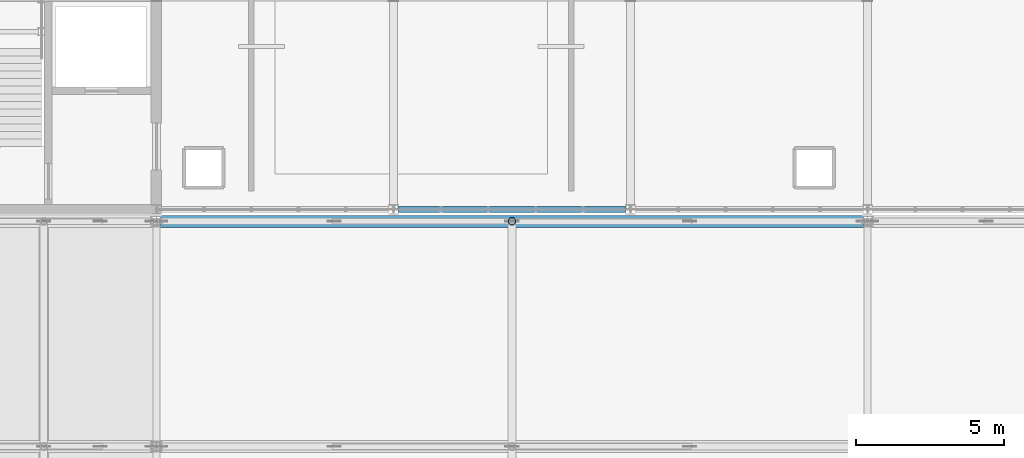
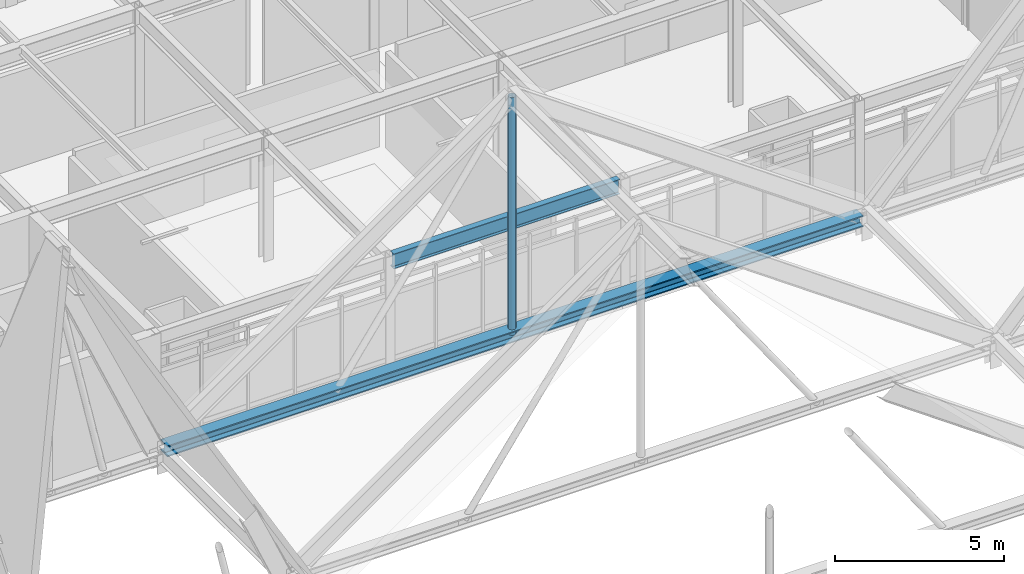
# One storey, part 56 of 100: 2 members, 1 beam.
"""IFC4 building model written with IfcOpenShell, lengths in metres."""

from ifc_helpers import new_model, si_unit, direction, frame, origin, origin_2d, place, context, subcontext, project, spatial, hollow_circle, i_section, extrude, material, material_profile, profile_set, type_object, element, save


model = new_model("IFC4")

# Units and contexts
model_context = context("Model", 3, precision=1e-05, world=origin(), true_north=direction((0.0, 1.0)))
body_context = subcontext(model_context, "Body", "Model", "MODEL_VIEW")
ifc_project = project(units=[si_unit("LENGTHUNIT", "METRE"), si_unit("AREAUNIT", "SQUARE_METRE"), si_unit("VOLUMEUNIT", "CUBIC_METRE"), si_unit("PLANEANGLEUNIT", "RADIAN"), si_unit("MASSUNIT", "GRAM", prefix="KILO")], contexts=[model_context])

# Site, building, storey
site_placement = place(None, origin())
site = spatial("IfcSite", under=ifc_project, at=site_placement, CompositionType="ELEMENT")
building_placement = place(site_placement, origin())
building = spatial("IfcBuilding", under=site, at=building_placement, Name="Zulena Civic Courthouse", CompositionType="ELEMENT")
storey_placement = place(building_placement, frame((0.0, 0.0, 20.39990234375)))
storey = spatial("IfcBuildingStorey", under=building, at=storey_placement, Name="L04", CompositionType="ELEMENT", Elevation=20.39990234375)

# Members
ifc_material_1 = material(Name="Steel ASTM A992 Grade 50", Category="steel")
ifc_material_profile_1 = material_profile(ifc_material_1, i_section(OverallWidth=0.40087890625, OverallDepth=0.39892578125, WebThickness=0.02490234375, FlangeThickness=0.03955078125, FilletRadius=0.01513671875, at=origin_2d()), Name="W14X211")
ifc_profile_set_1 = profile_set([ifc_material_profile_1], Name="Steel ASTM A992 Grade 50")
member_type_1 = type_object("IfcMemberType", Name="Chord_W14X211", PredefinedType="CHORD", material=ifc_profile_set_1)
member_1_placement = place(storey_placement, frame((132.139892578125, 30.39990234375, 0.536376953125), z_axis=(1.0, 0.0, 0.0), x_axis=(0.0, 1.0, 0.0)))
element("IfcMember", 1, at=member_1_placement, inside=storey, type_object=member_type_1, Name="mem:fold:tie:06:30.4", PredefinedType="CHORD", context=body_context, shape_type="SweptSolid", body=[
    extrude(i_section(OverallWidth=0.40087890625, OverallDepth=0.39892578125, WebThickness=0.02490234375, FlangeThickness=0.03955078125, FilletRadius=0.01513671875, at=origin_2d()), origin(), (0.0, 0.0, 1.0), 23.72021484375),
])
ifc_material_2 = material(Name="Steel ASTM A500 Grade C", Category="steel")
ifc_material_profile_2 = material_profile(ifc_material_2, hollow_circle(Radius=0.126953125, WallThickness=0.01171875, at=origin_2d()), Name="HSS10.000X0.500")
ifc_profile_set_2 = profile_set([ifc_material_profile_2], Name="Steel ASTM A500 Grade C")
member_type_2 = type_object("IfcMemberType", Name="RoofWeb_CHS10", PredefinedType="USERDEFINED", material=ifc_profile_set_2)
member_2_placement = place(storey_placement, frame((144.0, 30.39990234375, 0.536376953125), z_axis=(0.0, 0.0, 1.0), x_axis=(1.0, 0.0, 0.0)))
element("IfcMember", 2, at=member_2_placement, inside=storey, type_object=member_type_2, Name="mem:fold:king:06:30.4", ObjectType="ROOF TRUSS", PredefinedType="USERDEFINED", context=body_context, shape_type="SweptSolid", body=[
    extrude(hollow_circle(Radius=0.126953125, WallThickness=0.01171875, at=origin_2d()), origin(), (0.0, 0.0, 1.0), 8.56005859375),
])

# Beam
ifc_material_profile_3 = material_profile(ifc_material_1, i_section(OverallWidth=0.2099609375, OverallDepth=0.537109375, WebThickness=0.010986328125, FlangeThickness=0.017333984375, FilletRadius=0.0126953125, at=origin_2d()), Name="W21X68")
ifc_profile_set_3 = profile_set([ifc_material_profile_3], Name="Steel ASTM A992 Grade 50")
beam_type = type_object("IfcBeamType", Name="Spandrel_W21X68", PredefinedType="SPANDREL", material=ifc_profile_set_3)
beam_placement = place(storey_placement, frame((140.14501953125, 30.800048828125, 4.276611328125), z_axis=(1.0, 0.0, 0.0), x_axis=(0.0, 1.0, 0.0)))
element("IfcBeam", 3, at=beam_placement, inside=storey, type_object=beam_type, Name="beam:X:V3:L04:30.8:140.0_148.0", PredefinedType="SPANDREL", context=body_context, shape_type="SweptSolid", body=[
    extrude(i_section(OverallWidth=0.2099609375, OverallDepth=0.537109375, WebThickness=0.010986328125, FlangeThickness=0.017333984375, FilletRadius=0.0126953125, at=origin_2d()), origin(), (0.0, 0.0, 1.0), 7.7099609375),
])

save(model, "model.ifc")
